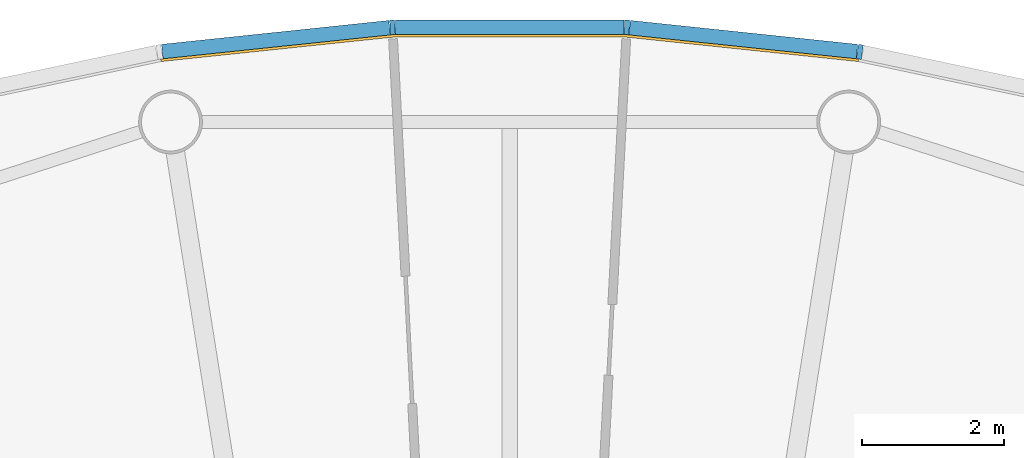
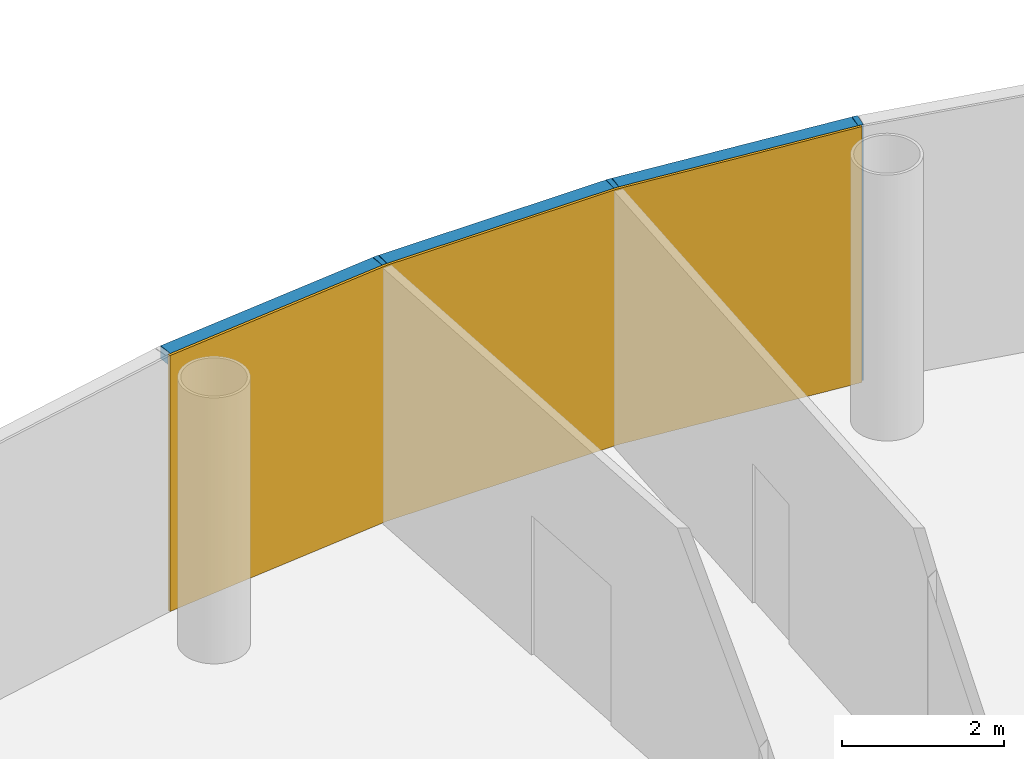
# One storey, part 11 of 13: 6 members, 1 curtain wall.
"""IFC4 building model written with IfcOpenShell, lengths in metres."""

from ifc_helpers import new_model, si_unit, direction, frame, origin, origin_2d, place, context, subcontext, project, spatial, polyline, rectangle, outline, extrude, material, layer, layer_set, material_profile, profile_set, type_object, element, aggregate, save


model = new_model("IFC4")

# Units and contexts
model_context = context("Model", 3, precision=1e-05, world=origin(), true_north=direction((0.0, 1.0)))
body_context = subcontext(model_context, "Body", "Model", "MODEL_VIEW")
ifc_project = project(units=[si_unit("LENGTHUNIT", "METRE"), si_unit("AREAUNIT", "SQUARE_METRE"), si_unit("VOLUMEUNIT", "CUBIC_METRE"), si_unit("PLANEANGLEUNIT", "RADIAN"), si_unit("MASSUNIT", "GRAM", prefix="KILO")], contexts=[model_context])

# Member
ifc_material_1 = material(Name="Anodised aluminium", Category="aluminium")
ifc_material_profile_1 = material_profile(ifc_material_1, rectangle(XDim=0.070068359375, YDim=0.205078125, at=origin_2d()), Name="Mullion 70 x 205 mm anodised aluminium")
ifc_profile_set_1 = profile_set([ifc_material_profile_1], Name="Anodised aluminium")
member_type_1 = type_object("IfcMemberType", Name="Mullion 70 x 205 mm anodised aluminium", PredefinedType="MULLION", material=ifc_profile_set_1)
site_placement = place(None, origin())
building_placement = place(site_placement, origin())
storey_placement = place(building_placement, frame((0.0, 0.0, 348.0)))
member_1_placement = place(storey_placement, frame((94.943603515625, 111.21337890625, 0.0), z_axis=(0.0, 0.0, 1.0), x_axis=(-0.987688340595, 0.15643446504, 0.0)))
member_1 = element("IfcMember", 1, at=member_1_placement, type_object=member_type_1, Name="MULLION L80-12", PredefinedType="MULLION", context=body_context, shape_type="SweptSolid", body=[
    extrude(rectangle(XDim=0.070068359375, YDim=0.205078125, at=origin_2d()), origin(), (0.0, 0.0, 1.0), 3.85009765625),
])

member_2_placement = place(storey_placement, frame((91.654052734375, 111.55908203125, 0.0), z_axis=(0.0, 0.0, 1.0), x_axis=(-0.998629534755, 0.052335956243, 0.0)))
member_2 = element("IfcMember", 2, at=member_2_placement, type_object=member_type_1, Name="MULLION L80-13", PredefinedType="MULLION", context=body_context, shape_type="SweptSolid", body=[
    extrude(rectangle(XDim=0.070068359375, YDim=0.205078125, at=origin_2d()), origin(), (0.0, 0.0, 1.0), 3.85009765625),
])

member_3_placement = place(storey_placement, frame((88.345947265625, 111.55908203125, 0.0), z_axis=(0.0, 0.0, 1.0), x_axis=(-0.998629534755, -0.052335956243, 0.0)))
member_3 = element("IfcMember", 3, at=member_3_placement, type_object=member_type_1, Name="MULLION L80-14", PredefinedType="MULLION", context=body_context, shape_type="SweptSolid", body=[
    extrude(rectangle(XDim=0.070068359375, YDim=0.205078125, at=origin_2d()), origin(), (0.0, 0.0, 1.0), 3.85009765625),
])

ifc_material_2 = material(Name="Anodised aluminium", Category="aluminium")
ifc_material_profile_2 = material_profile(ifc_material_2, rectangle(XDim=0.205078125, YDim=0.195068359375, at=origin_2d()), Name="Transom 195 x 205 mm anodised aluminium")
ifc_profile_set_2 = profile_set([ifc_material_profile_2], Name="Anodised aluminium")
member_type_2 = type_object("IfcMemberType", Name="Transom 195 x 205 mm anodised aluminium", PredefinedType="USERDEFINED", material=ifc_profile_set_2)
member_4_placement = place(storey_placement, frame((94.903564453125, 111.2177734375, 3.75244140625), z_axis=(-0.994519537956, 0.104550890115, 0.0), x_axis=(-0.104550890115, -0.994519537956, 0.0)))
member_4 = element("IfcMember", 4, at=member_4_placement, type_object=member_type_2, Name="TRANSOM L80-12", ObjectType="TRANSOM", PredefinedType="USERDEFINED", context=body_context, shape_type="SweptSolid", body=[
    extrude(rectangle(XDim=0.205078125, YDim=0.195068359375, at=origin_2d()), origin(), (0.0, 0.0, 1.0), 3.22705078125),
])

member_5_placement = place(storey_placement, frame((91.613525390625, 111.559326171875, 3.75244140625), z_axis=(-1.0, 0.0, 0.0), x_axis=(0.0, -1.0, 0.0)))
member_5 = element("IfcMember", 5, at=member_5_placement, type_object=member_type_2, Name="TRANSOM L80-13", ObjectType="TRANSOM", PredefinedType="USERDEFINED", context=body_context, shape_type="SweptSolid", body=[
    extrude(rectangle(XDim=0.205078125, YDim=0.195068359375, at=origin_2d()), origin(), (0.0, 0.0, 1.0), 3.22705078125),
])

member_6_placement = place(storey_placement, frame((88.305908203125, 111.55517578125, 3.75244140625), z_axis=(-0.994519537956, -0.104550890115, 0.0), x_axis=(0.104550890115, -0.994519537956, 0.0)))
member_6 = element("IfcMember", 6, at=member_6_placement, type_object=member_type_2, Name="TRANSOM L80-14", ObjectType="TRANSOM", PredefinedType="USERDEFINED", context=body_context, shape_type="SweptSolid", body=[
    extrude(rectangle(XDim=0.205078125, YDim=0.195068359375, at=origin_2d()), origin(), (0.0, 0.0, 1.0), 3.22705078125),
])

# Site, building, storey
site = spatial("IfcSite", under=ifc_project, at=site_placement, CompositionType="ELEMENT")
building = spatial("IfcBuilding", under=site, at=building_placement, Name="Entoto Ring Tower", CompositionType="ELEMENT")
storey = spatial("IfcBuildingStorey", under=building, at=storey_placement, Name="L80", CompositionType="ELEMENT", Elevation=348.0)

# Curtain wall
ifc_material_3 = material(Name="Clear low-iron glass", Category="glass")
ifc_layer = layer(ifc_material_3, 0.035888671875)
ifc_layer_set = layer_set([ifc_layer], Name="Clear low-iron glass")
curtain_wall_type = type_object("IfcCurtainWallType", Name="Curtain wall system CW6 glazing 36 mm", PredefinedType="NOTDEFINED", material=ifc_layer_set)
curtain_wall_placement = place(storey_placement, origin())
curtain_wall = element("IfcCurtainWall", 7, at=curtain_wall_placement, inside=storey, type_object=curtain_wall_type, Name="CW6 L80-05", PredefinedType="NOTDEFINED", context=body_context, shape_type="SweptSolid", body=[
    extrude(outline(polyline([(94.927734375, 111.1123046875), (91.648681640625, 111.456787109375), (88.351318359375, 111.456787109375), (85.072265625, 111.1123046875), (85.077880859375, 111.07666015625), (88.353271484375, 111.4208984375), (91.646728515625, 111.4208984375), (94.922119140625, 111.07666015625), (94.927734375, 111.1123046875)])), origin(), (0.0, 0.0, 1.0), 3.85009765625),
])

aggregate(curtain_wall, [member_1, member_2, member_3, member_4, member_5, member_6])

save(model, "model.ifc")
